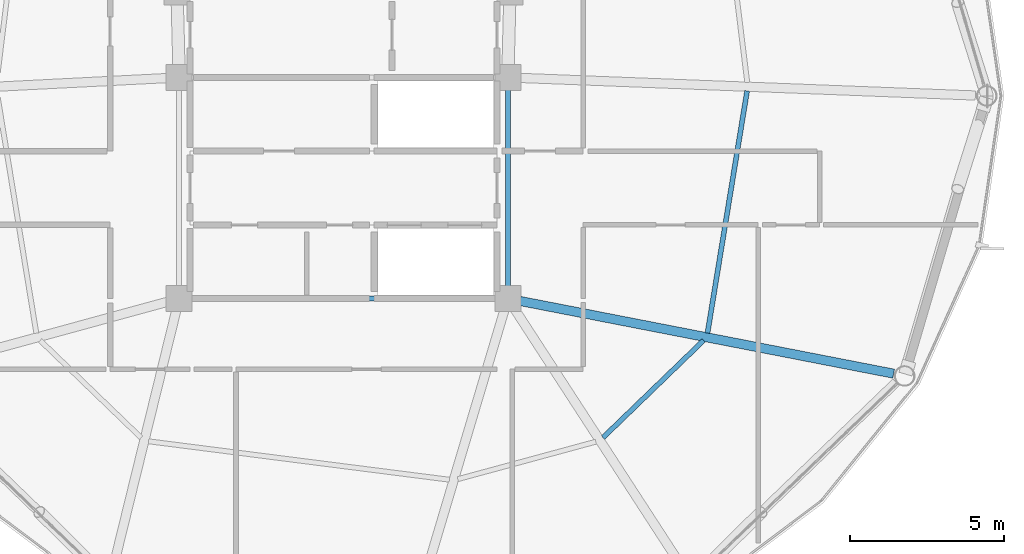
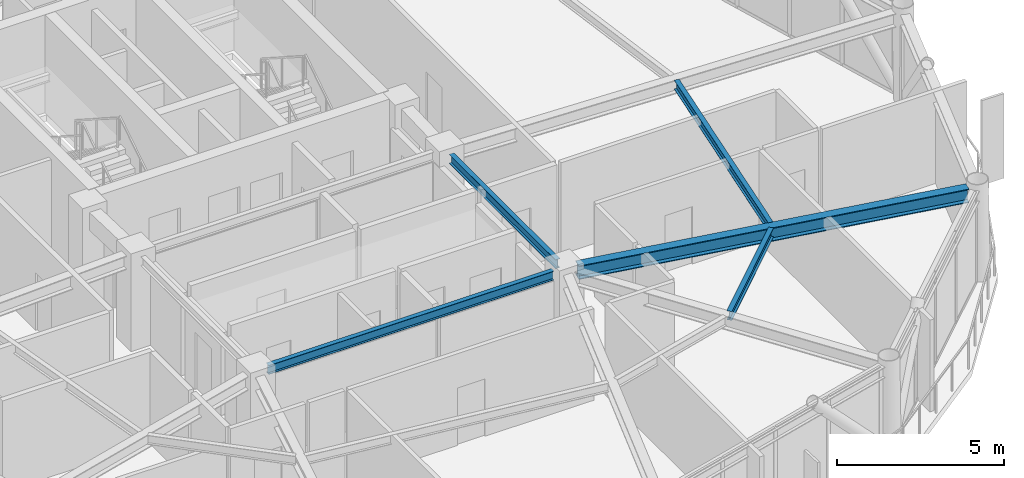
# One storey, part 9 of 28: 5 beams.
"""IFC4 building model written with IfcOpenShell, lengths in metres."""

from ifc_helpers import new_model, si_unit, direction, frame, origin, origin_2d, place, context, subcontext, project, spatial, i_section, extrude, material, material_profile, profile_set, type_object, element, save


model = new_model("IFC4")

# Units and contexts
model_context = context("Model", 3, precision=1e-05, world=origin(), true_north=direction((0.0, 1.0)))
body_context = subcontext(model_context, "Body", "Model", "MODEL_VIEW")
ifc_project = project(units=[si_unit("LENGTHUNIT", "METRE"), si_unit("AREAUNIT", "SQUARE_METRE"), si_unit("VOLUMEUNIT", "CUBIC_METRE"), si_unit("PLANEANGLEUNIT", "RADIAN"), si_unit("MASSUNIT", "GRAM", prefix="KILO")], contexts=[model_context])

# Site, building, storey
site_placement = place(None, origin())
site = spatial("IfcSite", under=ifc_project, at=site_placement, CompositionType="ELEMENT")
building_placement = place(site_placement, origin())
building = spatial("IfcBuilding", under=site, at=building_placement, Name="Varnakorn Sky Granary", CompositionType="ELEMENT")
storey_placement = place(building_placement, frame((0.0, 0.0, 214.800048828125)))
storey = spatial("IfcBuildingStorey", under=building, at=storey_placement, Name="L54", CompositionType="ELEMENT", Elevation=214.800048828125)

# Beams
ifc_material = material(Name="Steel S355JR", Category="steel")
ifc_material_profile_1 = material_profile(ifc_material, i_section(OverallWidth=0.300048828125, OverallDepth=0.5, WebThickness=0.014404296875, FlangeThickness=0.028076171875, at=origin_2d()), Name="HE 500 B")
ifc_profile_set_1 = profile_set([ifc_material_profile_1], Name="Steel S355JR")
beam_type_1 = type_object("IfcBeamType", Name="BM-RAD-Z4", PredefinedType="BEAM", material=ifc_profile_set_1)
beam_1_placement = place(storey_placement, frame((8.74755859375, -6.677490234375, 3.10986328125), z_axis=(0.981589642172, -0.191002027163, 0.0), x_axis=(0.191002027163, 0.981589642172, 0.0)))
element("IfcBeam", 1, at=beam_1_placement, inside=storey, type_object=beam_type_1, Name="Radial Floor Girder RG12 L54", PredefinedType="BEAM", context=body_context, shape_type="SweptSolid", body=[
    extrude(i_section(OverallWidth=0.300048828125, OverallDepth=0.5, WebThickness=0.014404296875, FlangeThickness=0.028076171875, at=origin_2d()), origin(), (0.0, 0.0, 1.0), 12.390869140625),
])
ifc_material_profile_2 = material_profile(ifc_material, i_section(OverallWidth=0.159912109375, OverallDepth=0.330078125, WebThickness=0.007568359375, FlangeThickness=0.011474609375, at=origin_2d()), Name="IPE 330")
ifc_profile_set_2 = profile_set([ifc_material_profile_2], Name="Steel S355JR")
beam_type_2 = type_object("IfcBeamType", Name="BM-SEC-Z4", PredefinedType="BEAM", material=ifc_profile_set_2)
beam_2_placement = place(storey_placement, frame((11.45068359375, -11.125244140625, 3.195068359375), z_axis=(0.719108817057, 0.694897481094, 0.0), x_axis=(-0.694897481094, 0.719108817057, 0.0)))
element("IfcBeam", 2, at=beam_2_placement, inside=storey, type_object=beam_type_2, Name="Secondary Floor Chord Beam MSB11 L54", PredefinedType="BEAM", context=body_context, shape_type="SweptSolid", body=[
    extrude(i_section(OverallWidth=0.159912109375, OverallDepth=0.330078125, WebThickness=0.007568359375, FlangeThickness=0.011474609375, at=origin_2d()), origin(), (0.0, 0.0, 1.0), 4.557861328125),
])
beam_3_placement = place(storey_placement, frame((14.8515625, -7.72265625, 3.195068359375), z_axis=(0.1614144182, 0.986886713659, 0.0), x_axis=(-0.986886713659, 0.1614144182, 0.0)))
element("IfcBeam", 3, at=beam_3_placement, inside=storey, type_object=beam_type_2, Name="Secondary Floor Chord Beam MSB12 L54", PredefinedType="BEAM", context=body_context, shape_type="SweptSolid", body=[
    extrude(i_section(OverallWidth=0.159912109375, OverallDepth=0.330078125, WebThickness=0.007568359375, FlangeThickness=0.011474609375, at=origin_2d()), origin(), (0.0, 0.0, 1.0), 7.987548828125),
])
beam_4_placement = place(storey_placement, frame((8.35009765625, 0.195068359375, 3.195068359375), z_axis=(0.0, -1.0, 0.0), x_axis=(1.0, 0.0, 0.0)))
element("IfcBeam", 4, at=beam_4_placement, inside=storey, type_object=beam_type_2, Name="Core Spine Framing Beam 4 L54", PredefinedType="BEAM", context=body_context, shape_type="SweptSolid", body=[
    extrude(i_section(OverallWidth=0.159912109375, OverallDepth=0.330078125, WebThickness=0.007568359375, FlangeThickness=0.011474609375, at=origin_2d()), origin(), (0.0, 0.0, 1.0), 6.39013671875),
])
beam_5_placement = place(storey_placement, frame((-1.945068359375, -6.60009765625, 3.195068359375), z_axis=(1.0, 0.0, 0.0), x_axis=(0.0, 1.0, 0.0)))
element("IfcBeam", 5, at=beam_5_placement, inside=storey, type_object=beam_type_2, Name="Core Spine Framing Beam 6 L54", PredefinedType="BEAM", context=body_context, shape_type="SweptSolid", body=[
    extrude(i_section(OverallWidth=0.159912109375, OverallDepth=0.330078125, WebThickness=0.007568359375, FlangeThickness=0.011474609375, at=origin_2d()), origin(), (0.0, 0.0, 1.0), 9.89013671875),
])

save(model, "model.ifc")
